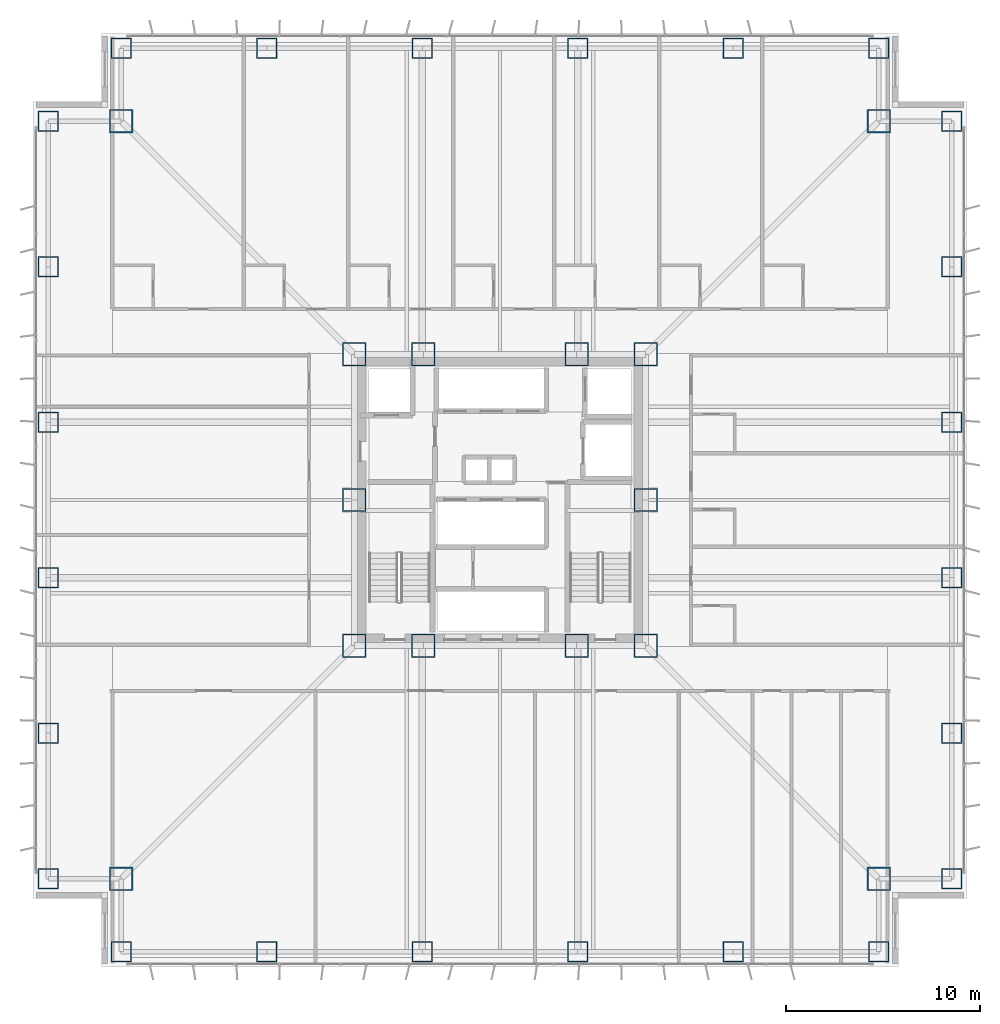
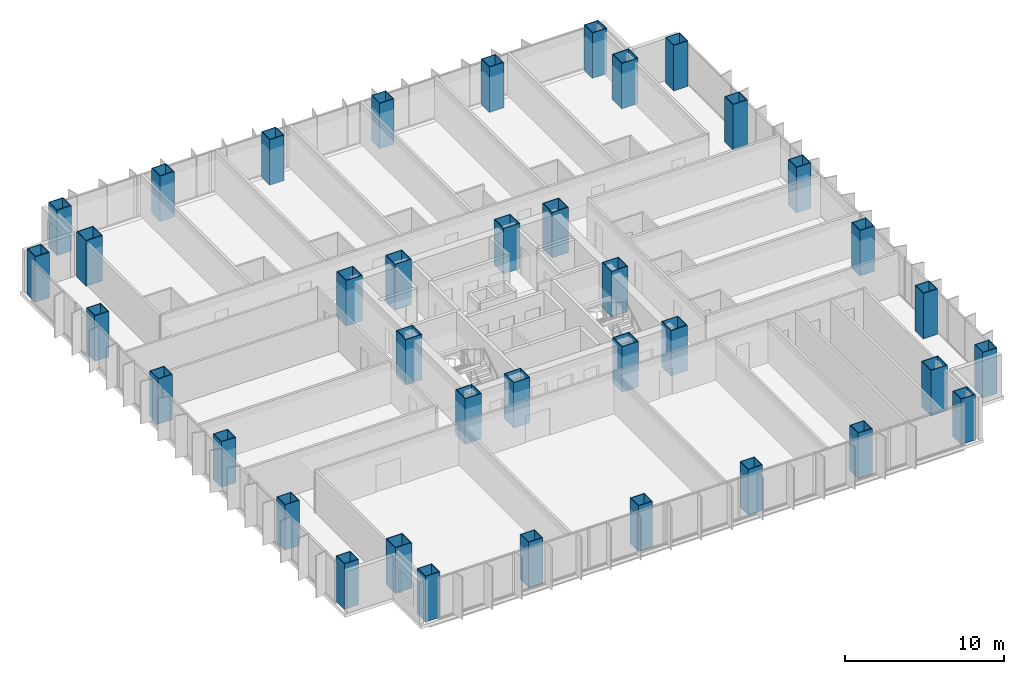
# One storey, part 1 of 17: 38 columns.
"""IFC4 building model written with IfcOpenShell, lengths in metres."""

from ifc_helpers import new_model, si_unit, direction, frame, origin, origin_2d, place, context, subcontext, project, spatial, hollow_rectangle, extrude, material, material_profile, profile_set, type_object, element, save


model = new_model("IFC4")

# Units and contexts
model_context = context("Model", 3, precision=1e-05, world=origin(), true_north=direction((0.0, 1.0)))
body_context = subcontext(model_context, "Body", "Model", "MODEL_VIEW")
ifc_project = project(units=[si_unit("LENGTHUNIT", "METRE"), si_unit("AREAUNIT", "SQUARE_METRE"), si_unit("VOLUMEUNIT", "CUBIC_METRE"), si_unit("PLANEANGLEUNIT", "RADIAN"), si_unit("MASSUNIT", "GRAM", prefix="KILO")], contexts=[model_context])

# Site, building, storey
site_placement = place(None, origin())
site = spatial("IfcSite", under=ifc_project, at=site_placement, CompositionType="ELEMENT")
building_placement = place(site_placement, origin())
building = spatial("IfcBuilding", under=site, at=building_placement, Name="Trevonay Congress Spire", CompositionType="ELEMENT")
storey_placement = place(building_placement, frame((0.0, 0.0, 69.0)))
storey = spatial("IfcBuildingStorey", under=building, at=storey_placement, Name="L17", CompositionType="ELEMENT", Elevation=69.0)

# Columns
ifc_material = material(Name="Steel ASTM A572 Grade 50", Category="steel")
ifc_material_profile_1 = material_profile(ifc_material, hollow_rectangle(XDim=1.199951171875, YDim=1.199951171875, WallThickness=0.054931640625, at=origin_2d()), Name="BOX 1200x1200x55")
ifc_profile_set_1 = profile_set([ifc_material_profile_1], Name="Steel ASTM A572 Grade 50")
column_type_1 = type_object("IfcColumnType", Name="COL-CORE-BOX1200", PredefinedType="COLUMN", material=ifc_profile_set_1)
for number, where, z_axis, x_axis, name in (
    (1, (-7.5, -7.5, 0.0), (0.0, 0.0, 1.0), (1.0, 0.0, 0.0), "L17 column C02 at CC-SW"),
    (2, (-3.949951171875, -7.5, 0.0), (0.0, 0.0, 1.0), (1.0, 0.0, 0.0), "L17 column C02 at CC-SMW"),
    (3, (3.949951171875, -7.5, 0.0), (0.0, 0.0, 1.0), (1.0, 0.0, 0.0), "L17 column C02 at CC-SME"),
    (4, (7.5, -7.5, 0.0), (0.0, 0.0, 1.0), (1.0, 0.0, 0.0), "L17 column C02 at CC-SE"),
    (5, (7.5, 0.0, 0.0), (0.0, 0.0, 1.0), (1.0, 0.0, 0.0), "L17 column C02 at CC-E"),
    (6, (7.5, 7.5, 0.0), (0.0, 0.0, 1.0), (1.0, 0.0, 0.0), "L17 column C02 at CC-NE"),
    (7, (3.949951171875, 7.5, 0.0), (0.0, 0.0, 1.0), (1.0, 0.0, 0.0), "L17 column C02 at CC-NME"),
    (8, (-3.949951171875, 7.5, 0.0), (0.0, 0.0, 1.0), (1.0, 0.0, 0.0), "L17 column C02 at CC-NMW"),
    (9, (-7.5, 7.5, 0.0), (0.0, 0.0, 1.0), (1.0, 0.0, 0.0), "L17 column C02 at CC-NW"),
    (10, (-7.5, 0.0, 0.0), (0.0, 0.0, 1.0), (1.0, 0.0, 0.0), "L17 column C02 at CC-W"),
):
    element("IfcColumn", number, at=place(storey_placement, frame(where, z_axis=z_axis, x_axis=x_axis)), inside=storey, type_object=column_type_1, Name=name, PredefinedType="COLUMN", context=body_context, shape_type="SweptSolid", body=[
        extrude(hollow_rectangle(XDim=1.199951171875, YDim=1.199951171875, WallThickness=0.054931640625, at=origin_2d()), origin(), (0.0, 0.0, 1.0), 3.5),
    ])
ifc_material_profile_2 = material_profile(ifc_material, hollow_rectangle(XDim=1.199951171875, YDim=1.199951171875, WallThickness=0.054931640625, at=origin_2d()), Name="BOX 1200x1200x55")
ifc_profile_set_2 = profile_set([ifc_material_profile_2], Name="Steel ASTM A572 Grade 50")
column_type_2 = type_object("IfcColumnType", Name="COL-NOTCH-BOX1200", PredefinedType="COLUMN", material=ifc_profile_set_2)
for number, where, z_axis, x_axis, name in (
    (11, (-19.5, -19.5, 0.0), (0.0, 0.0, 1.0), (1.0, 0.0, 0.0), "L17 column C19 at NC-SW"),
    (12, (19.5, -19.5, 0.0), (0.0, 0.0, 1.0), (1.0, 0.0, 0.0), "L17 column C19 at NC-SE"),
    (13, (19.5, 19.5, 0.0), (0.0, 0.0, 1.0), (1.0, 0.0, 0.0), "L17 column C19 at NC-NE"),
    (14, (-19.5, 19.5, 0.0), (0.0, 0.0, 1.0), (1.0, 0.0, 0.0), "L17 column C19 at NC-NW"),
):
    element("IfcColumn", number, at=place(storey_placement, frame(where, z_axis=z_axis, x_axis=x_axis)), inside=storey, type_object=column_type_2, Name=name, PredefinedType="COLUMN", context=body_context, shape_type="SweptSolid", body=[
        extrude(hollow_rectangle(XDim=1.199951171875, YDim=1.199951171875, WallThickness=0.054931640625, at=origin_2d()), origin(), (0.0, 0.0, 1.0), 3.5),
    ])
ifc_material_profile_3 = material_profile(ifc_material, hollow_rectangle(XDim=1.050048828125, YDim=1.050048828125, WallThickness=0.050048828125, at=origin_2d()), Name="BOX 1050x1050x50")
ifc_profile_set_3 = profile_set([ifc_material_profile_3], Name="Steel ASTM A572 Grade 50")
column_type_3 = type_object("IfcColumnType", Name="COL-TUBE-BOX1050", PredefinedType="COLUMN", material=ifc_profile_set_3)
for number, where, z_axis, x_axis, name in (
    (15, (-19.5, -23.25, 0.0), (0.0, 0.0, 1.0), (1.0, 0.0, 0.0), "L17 column C14 at TS-1"),
    (16, (-19.5, 23.25, 0.0), (0.0, 0.0, 1.0), (1.0, 0.0, 0.0), "L17 column C14 at TN-1"),
    (17, (-23.25, -19.5, 0.0), (0.0, 0.0, 1.0), (1.0, 0.0, 0.0), "L17 column C14 at TW-1"),
    (18, (23.25, -19.5, 0.0), (0.0, 0.0, 1.0), (1.0, 0.0, 0.0), "L17 column C14 at TE-1"),
    (19, (-12.0, -23.25, 0.0), (0.0, 0.0, 1.0), (1.0, 0.0, 0.0), "L17 column C14 at TS-2"),
    (20, (-12.0, 23.25, 0.0), (0.0, 0.0, 1.0), (1.0, 0.0, 0.0), "L17 column C14 at TN-2"),
    (21, (-23.25, -12.0, 0.0), (0.0, 0.0, 1.0), (1.0, 0.0, 0.0), "L17 column C14 at TW-2"),
    (22, (23.25, -12.0, 0.0), (0.0, 0.0, 1.0), (1.0, 0.0, 0.0), "L17 column C14 at TE-2"),
    (23, (-4.0, -23.25, 0.0), (0.0, 0.0, 1.0), (1.0, 0.0, 0.0), "L17 column C14 at TS-3"),
    (24, (-4.0, 23.25, 0.0), (0.0, 0.0, 1.0), (1.0, 0.0, 0.0), "L17 column C14 at TN-3"),
    (25, (-23.25, -4.0, 0.0), (0.0, 0.0, 1.0), (1.0, 0.0, 0.0), "L17 column C14 at TW-3"),
    (26, (23.25, -4.0, 0.0), (0.0, 0.0, 1.0), (1.0, 0.0, 0.0), "L17 column C14 at TE-3"),
    (27, (4.0, -23.25, 0.0), (0.0, 0.0, 1.0), (1.0, 0.0, 0.0), "L17 column C14 at TS-4"),
    (28, (4.0, 23.25, 0.0), (0.0, 0.0, 1.0), (1.0, 0.0, 0.0), "L17 column C14 at TN-4"),
    (29, (-23.25, 4.0, 0.0), (0.0, 0.0, 1.0), (1.0, 0.0, 0.0), "L17 column C14 at TW-4"),
    (30, (23.25, 4.0, 0.0), (0.0, 0.0, 1.0), (1.0, 0.0, 0.0), "L17 column C14 at TE-4"),
    (31, (12.0, -23.25, 0.0), (0.0, 0.0, 1.0), (1.0, 0.0, 0.0), "L17 column C14 at TS-5"),
    (32, (12.0, 23.25, 0.0), (0.0, 0.0, 1.0), (1.0, 0.0, 0.0), "L17 column C14 at TN-5"),
    (33, (-23.25, 12.0, 0.0), (0.0, 0.0, 1.0), (1.0, 0.0, 0.0), "L17 column C14 at TW-5"),
    (34, (23.25, 12.0, 0.0), (0.0, 0.0, 1.0), (1.0, 0.0, 0.0), "L17 column C14 at TE-5"),
    (35, (19.5, -23.25, 0.0), (0.0, 0.0, 1.0), (1.0, 0.0, 0.0), "L17 column C14 at TS-6"),
    (36, (19.5, 23.25, 0.0), (0.0, 0.0, 1.0), (1.0, 0.0, 0.0), "L17 column C14 at TN-6"),
    (37, (-23.25, 19.5, 0.0), (0.0, 0.0, 1.0), (1.0, 0.0, 0.0), "L17 column C14 at TW-6"),
    (38, (23.25, 19.5, 0.0), (0.0, 0.0, 1.0), (1.0, 0.0, 0.0), "L17 column C14 at TE-6"),
):
    element("IfcColumn", number, at=place(storey_placement, frame(where, z_axis=z_axis, x_axis=x_axis)), inside=storey, type_object=column_type_3, Name=name, PredefinedType="COLUMN", context=body_context, shape_type="SweptSolid", body=[
        extrude(hollow_rectangle(XDim=1.050048828125, YDim=1.050048828125, WallThickness=0.050048828125, at=origin_2d()), origin(), (0.0, 0.0, 1.0), 3.5),
    ])

save(model, "model.ifc")
